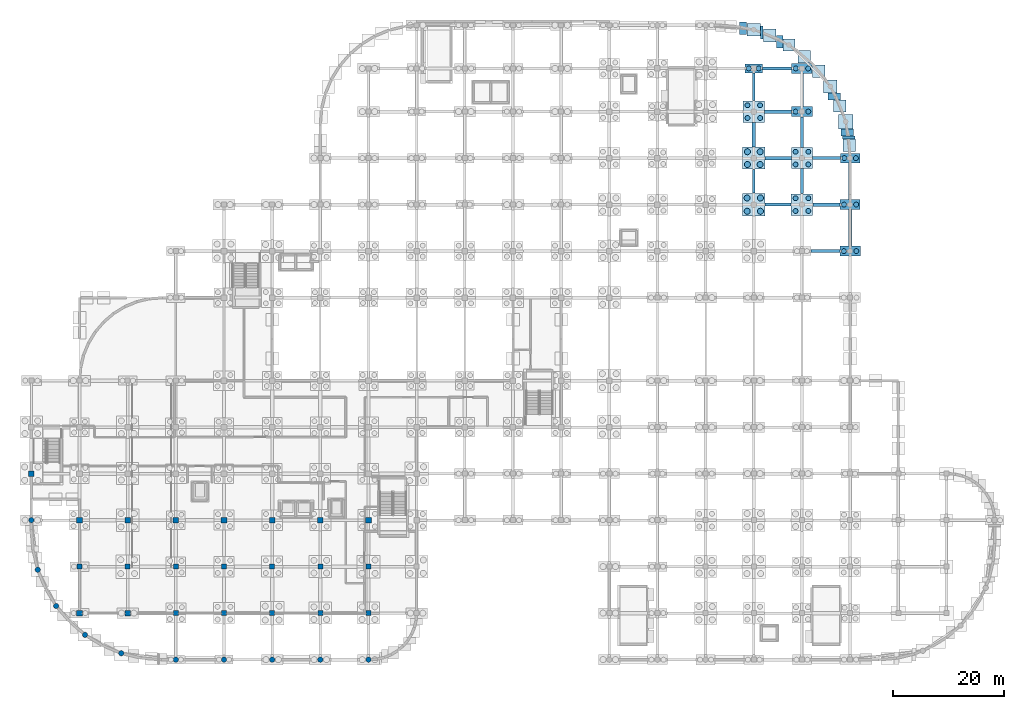
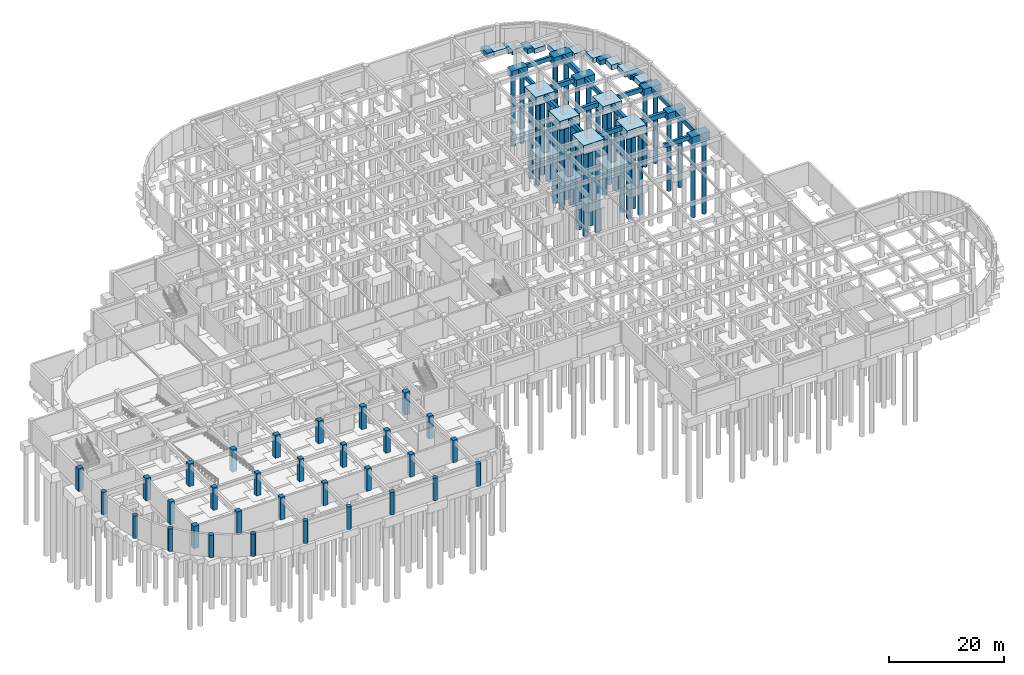
# One storey, part 14 of 33: 41 footings, 32 columns, 32 piles.
"""IFC4 building model written with IfcOpenShell, lengths in metres."""

from ifc_helpers import new_model, si_unit, derived_unit, direction, frame, origin, origin_2d, place, context, subcontext, project, spatial, rectangle, circle, extrude, material, material_profile, profile_set, type_object, element, save


model = new_model("IFC4")

# Units and contexts
model_context = context("Model", 3, precision=1e-05, world=origin(), true_north=direction((0.0, 1.0)))
body_context = subcontext(model_context, "Body", "Model", "MODEL_VIEW")
ifc_project = project(units=[si_unit("LENGTHUNIT", "METRE"), si_unit("AREAUNIT", "SQUARE_METRE"), si_unit("VOLUMEUNIT", "CUBIC_METRE"), si_unit("PLANEANGLEUNIT", "RADIAN"), si_unit("MASSUNIT", "GRAM", prefix="KILO"), derived_unit("THERMALTRANSMITTANCEUNIT", [(si_unit("MASSUNIT", "GRAM", prefix="KILO"), 1), (si_unit("TIMEUNIT", "SECOND"), -3), (si_unit("THERMODYNAMICTEMPERATUREUNIT", "KELVIN"), -1)])], contexts=[model_context])

# Site, building, storey
site_placement = place(None, origin())
site = spatial("IfcSite", under=ifc_project, at=site_placement, CompositionType="ELEMENT")
building_placement = place(site_placement, origin())
building = spatial("IfcBuilding", under=site, at=building_placement, Name="Qinzheling Arcade Emporium", CompositionType="ELEMENT")
storey_placement = place(building_placement, frame((0.0, 0.0, -9.60009765625)))
storey = spatial("IfcBuildingStorey", under=building, at=storey_placement, Name="B2", CompositionType="ELEMENT", Elevation=-9.60009765625)

# Footings
ifc_material_1 = material(Name="Concrete C40", Category="concrete")
footing_type_1 = type_object("IfcFootingType", Name="Arcade Pad Footing 2400x2400x1050 C40", PredefinedType="PAD_FOOTING", material=ifc_material_1)
footing_1_placement = place(storey_placement, frame((144.3291015625, 103.552978515625, -1.0498046875), z_axis=(0.0, 0.0, 1.0), x_axis=(1.0, 0.0, 0.0)))
element("IfcFooting", 1, at=footing_1_placement, inside=storey, type_object=footing_type_1, Name="Curved Arcade Pad Footing FND-PF-CV-CV6-02", PredefinedType="PAD_FOOTING", context=body_context, shape_type="SweptSolid", body=[
    extrude(rectangle(XDim=2.39990234375, YDim=2.39990234375, at=origin_2d()), origin(), (0.0, 0.0, 1.0), 1.050048828125),
])
footing_2_placement = place(storey_placement, frame((133.364990234375, 112.743896484375, -1.0498046875), z_axis=(0.0, 0.0, 1.0), x_axis=(1.0, 0.0, 0.0)))
element("IfcFooting", 2, at=footing_2_placement, inside=storey, type_object=footing_type_1, Name="Retaining Wall Pad Footing FND-PF-RW-039", PredefinedType="PAD_FOOTING", context=body_context, shape_type="SweptSolid", body=[
    extrude(rectangle(XDim=2.301025390625, YDim=2.301025390625, at=origin_2d()), origin(), (0.0, 0.0, 1.0), 1.050048828125),
])
footing_3_placement = place(storey_placement, frame((135.16796875, 111.62890625, -1.0498046875), z_axis=(0.0, 0.0, 1.0), x_axis=(1.0, 0.0, 0.0)))
element("IfcFooting", 3, at=footing_3_placement, inside=storey, type_object=footing_type_1, Name="Retaining Wall Pad Footing FND-PF-RW-041", PredefinedType="PAD_FOOTING", context=body_context, shape_type="SweptSolid", body=[
    extrude(rectangle(XDim=1.157958984375, YDim=2.301025390625, at=origin_2d()), origin(), (0.0, 0.0, 1.0), 1.050048828125),
])
footing_4_placement = place(storey_placement, frame((142.214111328125, 106.31494140625, -1.0498046875), z_axis=(0.0, 0.0, 1.0), x_axis=(1.0, 0.0, 0.0)))
element("IfcFooting", 4, at=footing_4_placement, inside=storey, type_object=footing_type_1, Name="Retaining Wall Pad Footing FND-PF-RW-043", PredefinedType="PAD_FOOTING", context=body_context, shape_type="SweptSolid", body=[
    extrude(rectangle(XDim=2.300048828125, YDim=2.300048828125, at=origin_2d()), origin(), (0.0, 0.0, 1.0), 1.050048828125),
])
footing_5_placement = place(storey_placement, frame((146.0439453125, 100.014892578125, -1.0498046875), z_axis=(0.0, 0.0, 1.0), x_axis=(1.0, 0.0, 0.0)))
element("IfcFooting", 5, at=footing_5_placement, inside=storey, type_object=footing_type_1, Name="Retaining Wall Pad Footing FND-PF-RW-045", PredefinedType="PAD_FOOTING", context=body_context, shape_type="SweptSolid", body=[
    extrude(rectangle(XDim=2.301025390625, YDim=2.199951171875, at=origin_2d()), origin(), (0.0, 0.0, 1.0), 1.050048828125),
])
footing_6_placement = place(storey_placement, frame((147.756103515625, 92.927978515625, -1.0498046875), z_axis=(0.0, 0.0, 1.0), x_axis=(1.0, 0.0, 0.0)))
element("IfcFooting", 6, at=footing_6_placement, inside=storey, type_object=footing_type_1, Name="Retaining Wall Pad Footing FND-PF-RW-047", PredefinedType="PAD_FOOTING", context=body_context, shape_type="SweptSolid", body=[
    extrude(rectangle(XDim=2.300048828125, YDim=2.301025390625, at=origin_2d()), origin(), (0.0, 0.0, 1.0), 1.050048828125),
])
footing_type_2 = type_object("IfcFootingType", Name="Canopy Pad Footing 2600x2600x1100 C40", PredefinedType="PAD_FOOTING", material=ifc_material_1)
footing_7_placement = place(storey_placement, frame((147.09912109375, 97.181884765625, -1.099853515625), z_axis=(0.0, 0.0, 1.0), x_axis=(1.0, 0.0, 0.0)))
element("IfcFooting", 7, at=footing_7_placement, inside=storey, type_object=footing_type_2, Name="Curved Arcade Pad Footing FND-PF-CV-CV6-01", PredefinedType="PAD_FOOTING", context=body_context, shape_type="SweptSolid", body=[
    extrude(rectangle(XDim=2.60009765625, YDim=2.60009765625, at=origin_2d()), origin(), (0.0, 0.0, 1.0), 1.10009765625),
])
footing_type_3 = type_object("IfcFootingType", Name="Foundation Tie Beam 500x900 C40", PredefinedType="FOOTING_BEAM", material=ifc_material_1)
footing_8_placement = place(storey_placement, frame((143.425048828125, 73.800048828125, -0.89990234375), z_axis=(0.0, 0.0, 1.0), x_axis=(1.0, 0.0, 0.0)))
element("IfcFooting", 8, at=footing_8_placement, inside=storey, type_object=footing_type_3, Name="Foundation Tie FND-FB-133", PredefinedType="FOOTING_BEAM", context=body_context, shape_type="SweptSolid", body=[
    extrude(rectangle(XDim=5.2099609375, YDim=0.5, at=origin_2d()), origin(), (0.0, 0.0, 1.0), 0.89990234375),
])
footing_9_placement = place(storey_placement, frame((134.89990234375, 82.199951171875, -0.89990234375), z_axis=(0.0, 0.0, 1.0), x_axis=(1.0, 0.0, 0.0)))
element("IfcFooting", 9, at=footing_9_placement, inside=storey, type_object=footing_type_3, Name="Foundation Tie FND-FB-145", PredefinedType="FOOTING_BEAM", context=body_context, shape_type="SweptSolid", body=[
    extrude(rectangle(XDim=4.659912109375, YDim=0.5, at=origin_2d()), origin(), (0.0, 0.0, 1.0), 0.89990234375),
])
footing_10_placement = place(storey_placement, frame((143.625, 90.60009765625, -0.89990234375), z_axis=(0.0, 0.0, 1.0), x_axis=(1.0, 0.0, 0.0)))
element("IfcFooting", 10, at=footing_10_placement, inside=storey, type_object=footing_type_3, Name="Foundation Tie FND-FB-157", PredefinedType="FOOTING_BEAM", context=body_context, shape_type="SweptSolid", body=[
    extrude(rectangle(XDim=5.010009765625, YDim=0.5, at=origin_2d()), origin(), (0.0, 0.0, 1.0), 0.89990234375),
])
footing_11_placement = place(storey_placement, frame((134.72509765625, 106.800048828125, -0.89990234375), z_axis=(0.0, 0.0, 1.0), x_axis=(1.0, 0.0, 0.0)))
element("IfcFooting", 11, at=footing_11_placement, inside=storey, type_object=footing_type_3, Name="Foundation Tie FND-FB-175", PredefinedType="FOOTING_BEAM", context=body_context, shape_type="SweptSolid", body=[
    extrude(rectangle(XDim=5.2099609375, YDim=0.5, at=origin_2d()), origin(), (0.0, 0.0, 1.0), 0.89990234375),
])
footing_12_placement = place(storey_placement, frame((130.5, 86.425048828125, -0.89990234375), z_axis=(0.0, 0.0, 1.0), x_axis=(1.0, 0.0, 0.0)))
element("IfcFooting", 12, at=footing_12_placement, inside=storey, type_object=footing_type_3, Name="Foundation Tie FND-FB-317", PredefinedType="FOOTING_BEAM", context=body_context, shape_type="SweptSolid", body=[
    extrude(rectangle(XDim=0.5, YDim=4.31005859375, at=origin_2d()), origin(), (0.0, 0.0, 1.0), 0.89990234375),
])
footing_13_placement = place(storey_placement, frame((130.5, 103.47509765625, -0.89990234375), z_axis=(0.0, 0.0, 1.0), x_axis=(1.0, 0.0, 0.0)))
element("IfcFooting", 13, at=footing_13_placement, inside=storey, type_object=footing_type_3, Name="Foundation Tie FND-FB-319", PredefinedType="FOOTING_BEAM", context=body_context, shape_type="SweptSolid", body=[
    extrude(rectangle(XDim=0.5, YDim=5.010009765625, at=origin_2d()), origin(), (0.0, 0.0, 1.0), 0.89990234375),
])
footing_14_placement = place(storey_placement, frame((139.199951171875, 95.287109375, -0.89990234375), z_axis=(0.0, 0.0, 1.0), x_axis=(1.0, 0.0, 0.0)))
element("IfcFooting", 14, at=footing_14_placement, inside=storey, type_object=footing_type_3, Name="Foundation Tie FND-FB-329", PredefinedType="FOOTING_BEAM", context=body_context, shape_type="SweptSolid", body=[
    extrude(rectangle(XDim=0.5, YDim=5.534912109375, at=origin_2d()), origin(), (0.0, 0.0, 1.0), 0.89990234375),
])
footing_15_placement = place(storey_placement, frame((147.89990234375, 86.412109375, -0.89990234375), z_axis=(0.0, 0.0, 1.0), x_axis=(1.0, 0.0, 0.0)))
element("IfcFooting", 15, at=footing_15_placement, inside=storey, type_object=footing_type_3, Name="Foundation Tie FND-FB-339", PredefinedType="FOOTING_BEAM", context=body_context, shape_type="SweptSolid", body=[
    extrude(rectangle(XDim=0.5, YDim=6.5849609375, at=origin_2d()), origin(), (0.0, 0.0, 1.0), 0.89990234375),
])
footing_type_4 = type_object("IfcFootingType", Name="Foundation Tie Beam 600x1000 C40", PredefinedType="FOOTING_BEAM", material=ifc_material_1)
footing_16_placement = place(storey_placement, frame((143.625, 82.199951171875, -1.0), z_axis=(0.0, 0.0, 1.0), x_axis=(1.0, 0.0, 0.0)))
element("IfcFooting", 16, at=footing_16_placement, inside=storey, type_object=footing_type_4, Name="Foundation Tie FND-FB-146", PredefinedType="FOOTING_BEAM", context=body_context, shape_type="SweptSolid", body=[
    extrude(rectangle(XDim=4.909912109375, YDim=0.60009765625, at=origin_2d()), origin(), (0.0, 0.0, 1.0), 1.0),
])
footing_17_placement = place(storey_placement, frame((134.89990234375, 90.60009765625, -1.0), z_axis=(0.0, 0.0, 1.0), x_axis=(1.0, 0.0, 0.0)))
element("IfcFooting", 17, at=footing_17_placement, inside=storey, type_object=footing_type_4, Name="Foundation Tie FND-FB-156", PredefinedType="FOOTING_BEAM", context=body_context, shape_type="SweptSolid", body=[
    extrude(rectangle(XDim=4.760009765625, YDim=0.60009765625, at=origin_2d()), origin(), (0.0, 0.0, 1.0), 1.0),
])
footing_18_placement = place(storey_placement, frame((134.875, 99.0, -1.0), z_axis=(0.0, 0.0, 1.0), x_axis=(1.0, 0.0, 0.0)))
element("IfcFooting", 18, at=footing_18_placement, inside=storey, type_object=footing_type_4, Name="Foundation Tie FND-FB-166", PredefinedType="FOOTING_BEAM", context=body_context, shape_type="SweptSolid", body=[
    extrude(rectangle(XDim=4.81005859375, YDim=0.60009765625, at=origin_2d()), origin(), (0.0, 0.0, 1.0), 1.0),
])
footing_19_placement = place(storey_placement, frame((130.5, 94.824951171875, -1.0), z_axis=(0.0, 0.0, 1.0), x_axis=(1.0, 0.0, 0.0)))
element("IfcFooting", 19, at=footing_19_placement, inside=storey, type_object=footing_type_4, Name="Foundation Tie FND-FB-318", PredefinedType="FOOTING_BEAM", context=body_context, shape_type="SweptSolid", body=[
    extrude(rectangle(XDim=0.60009765625, YDim=4.409912109375, at=origin_2d()), origin(), (0.0, 0.0, 1.0), 1.0),
])
footing_20_placement = place(storey_placement, frame((139.199951171875, 86.425048828125, -1.0), z_axis=(0.0, 0.0, 1.0), x_axis=(1.0, 0.0, 0.0)))
element("IfcFooting", 20, at=footing_20_placement, inside=storey, type_object=footing_type_4, Name="Foundation Tie FND-FB-328", PredefinedType="FOOTING_BEAM", context=body_context, shape_type="SweptSolid", body=[
    extrude(rectangle(XDim=0.60009765625, YDim=4.510009765625, at=origin_2d()), origin(), (0.0, 0.0, 1.0), 1.0),
])
footing_21_placement = place(storey_placement, frame((139.199951171875, 102.912109375, -1.0), z_axis=(0.0, 0.0, 1.0), x_axis=(1.0, 0.0, 0.0)))
element("IfcFooting", 21, at=footing_21_placement, inside=storey, type_object=footing_type_4, Name="Foundation Tie FND-FB-330", PredefinedType="FOOTING_BEAM", context=body_context, shape_type="SweptSolid", body=[
    extrude(rectangle(XDim=0.60009765625, YDim=5.93505859375, at=origin_2d()), origin(), (0.0, 0.0, 1.0), 1.0),
])
footing_22_placement = place(storey_placement, frame((147.89990234375, 78.0, -1.0), z_axis=(0.0, 0.0, 1.0), x_axis=(1.0, 0.0, 0.0)))
element("IfcFooting", 22, at=footing_22_placement, inside=storey, type_object=footing_type_4, Name="Foundation Tie FND-FB-338", PredefinedType="FOOTING_BEAM", context=body_context, shape_type="SweptSolid", body=[
    extrude(rectangle(XDim=0.60009765625, YDim=6.56005859375, at=origin_2d()), origin(), (0.0, 0.0, 1.0), 1.0),
])
footing_type_5 = type_object("IfcFootingType", Name="Four-Pile Atrium Cap 4000x4000x1900 C40", PredefinedType="PILE_CAP", material=ifc_material_1)
footing_23_placement = place(storey_placement, frame((130.5, 90.60009765625, -1.89990234375), z_axis=(0.0, 0.0, 1.0), x_axis=(1.0, 0.0, 0.0)))
element("IfcFooting", 23, at=footing_23_placement, inside=storey, type_object=footing_type_5, Name="Pile Cap FND-PC-168", PredefinedType="PILE_CAP", context=body_context, shape_type="SweptSolid", body=[
    extrude(rectangle(XDim=4.0, YDim=4.0, at=origin_2d()), origin(), (0.0, 0.0, 1.0), 1.89990234375),
])
footing_type_6 = type_object("IfcFootingType", Name="Four-Pile Core Cap 4100x4100x1950 C40", PredefinedType="PILE_CAP", material=ifc_material_1)
footing_24_placement = place(storey_placement, frame((130.5, 82.199951171875, -1.94970703125), z_axis=(0.0, 0.0, 1.0), x_axis=(1.0, 0.0, 0.0)))
element("IfcFooting", 24, at=footing_24_placement, inside=storey, type_object=footing_type_6, Name="Pile Cap FND-PC-167", PredefinedType="PILE_CAP", context=body_context, shape_type="SweptSolid", body=[
    extrude(rectangle(XDim=4.10009765625, YDim=4.10009765625, at=origin_2d()), origin(), (0.0, 0.0, 1.0), 1.949951171875),
])
footing_type_7 = type_object("IfcFootingType", Name="Four-Pile Flagship Cap 3800x3800x1800 C40", PredefinedType="PILE_CAP", material=ifc_material_1)
footing_25_placement = place(storey_placement, frame((139.199951171875, 90.60009765625, -1.7998046875), z_axis=(0.0, 0.0, 1.0), x_axis=(1.0, 0.0, 0.0)))
element("IfcFooting", 25, at=footing_25_placement, inside=storey, type_object=footing_type_7, Name="Pile Cap FND-PC-181", PredefinedType="PILE_CAP", context=body_context, shape_type="SweptSolid", body=[
    extrude(rectangle(XDim=3.800048828125, YDim=3.800048828125, at=origin_2d()), origin(), (0.0, 0.0, 1.0), 1.800048828125),
])
footing_type_8 = type_object("IfcFootingType", Name="Four-Pile Tower Cap 3900x3900x1850 C40", PredefinedType="PILE_CAP", material=ifc_material_1)
for number, where, z_axis, x_axis, name in (
    (26, (130.5, 99.0, -1.849853515625), (0.0, 0.0, 1.0), (1.0, 0.0, 0.0), "Pile Cap FND-PC-169"),
    (27, (139.199951171875, 82.199951171875, -1.849853515625), (0.0, 0.0, 1.0), (1.0, 0.0, 0.0), "Pile Cap FND-PC-180"),
):
    element("IfcFooting", number, at=place(storey_placement, frame(where, z_axis=z_axis, x_axis=x_axis)), inside=storey, type_object=footing_type_8, Name=name, PredefinedType="PILE_CAP", context=body_context, shape_type="SweptSolid", body=[
        extrude(rectangle(XDim=3.89990234375, YDim=3.89990234375, at=origin_2d()), origin(), (0.0, 0.0, 1.0), 1.85009765625),
    ])
footing_type_9 = type_object("IfcFootingType", Name="Loggia Pad Footing 2200x2200x1000 C40", PredefinedType="PAD_FOOTING", material=ifc_material_1)
footing_26_placement = place(storey_placement, frame((136.85302734375, 111.029052734375, -1.0), z_axis=(0.0, 0.0, 1.0), x_axis=(1.0, 0.0, 0.0)))
element("IfcFooting", 28, at=footing_26_placement, inside=storey, type_object=footing_type_9, Name="Curved Arcade Pad Footing FND-PF-CV-CV6-03", PredefinedType="PAD_FOOTING", context=body_context, shape_type="SweptSolid", body=[
    extrude(rectangle(XDim=2.199951171875, YDim=2.199951171875, at=origin_2d()), origin(), (0.0, 0.0, 1.0), 1.0),
])
footing_27_placement = place(storey_placement, frame((128.55810546875, 114.0791015625, -1.0), z_axis=(0.0, 0.0, 1.0), x_axis=(1.0, 0.0, 0.0)))
element("IfcFooting", 29, at=footing_27_placement, inside=storey, type_object=footing_type_9, Name="Retaining Wall Pad Footing FND-PF-RW-038", PredefinedType="PAD_FOOTING", context=body_context, shape_type="SweptSolid", body=[
    extrude(rectangle(XDim=1.3369140625, YDim=2.301025390625, at=origin_2d()), origin(), (0.0, 0.0, 1.0), 1.0),
])
footing_28_placement = place(storey_placement, frame((131.97412109375, 113.27392578125, -1.0), z_axis=(0.0, 0.0, 1.0), x_axis=(1.0, 0.0, 0.0)))
element("IfcFooting", 30, at=footing_28_placement, inside=storey, type_object=footing_type_9, Name="Retaining Wall Pad Footing FND-PF-RW-040", PredefinedType="PAD_FOOTING", context=body_context, shape_type="SweptSolid", body=[
    extrude(rectangle(XDim=0.470947265625, YDim=2.300048828125, at=origin_2d()), origin(), (0.0, 0.0, 1.0), 1.0),
])
footing_29_placement = place(storey_placement, frame((139.614990234375, 108.9150390625, -1.0), z_axis=(0.0, 0.0, 1.0), x_axis=(1.0, 0.0, 0.0)))
element("IfcFooting", 31, at=footing_29_placement, inside=storey, type_object=footing_type_9, Name="Retaining Wall Pad Footing FND-PF-RW-042", PredefinedType="PAD_FOOTING", context=body_context, shape_type="SweptSolid", body=[
    extrude(rectangle(XDim=2.300048828125, YDim=2.301025390625, at=origin_2d()), origin(), (0.0, 0.0, 1.0), 1.0),
])
footing_30_placement = place(storey_placement, frame((145.031005859375, 101.73388671875, -1.0), z_axis=(0.0, 0.0, 1.0), x_axis=(1.0, 0.0, 0.0)))
element("IfcFooting", 32, at=footing_30_placement, inside=storey, type_object=footing_type_9, Name="Retaining Wall Pad Footing FND-PF-RW-044", PredefinedType="PAD_FOOTING", context=body_context, shape_type="SweptSolid", body=[
    extrude(rectangle(XDim=2.300048828125, YDim=1.22607421875, at=origin_2d()), origin(), (0.0, 0.0, 1.0), 1.0),
])
footing_31_placement = place(storey_placement, frame((147.3798828125, 95.23291015625, -1.0), z_axis=(0.0, 0.0, 1.0), x_axis=(1.0, 0.0, 0.0)))
element("IfcFooting", 33, at=footing_31_placement, inside=storey, type_object=footing_type_9, Name="Retaining Wall Pad Footing FND-PF-RW-046", PredefinedType="PAD_FOOTING", context=body_context, shape_type="SweptSolid", body=[
    extrude(rectangle(XDim=2.300048828125, YDim=1.287109375, at=origin_2d()), origin(), (0.0, 0.0, 1.0), 1.0),
])
footing_32_placement = place(storey_placement, frame((147.64697265625, 94.333984375, -1.0), z_axis=(0.0, 0.0, 1.0), x_axis=(1.0, 0.0, 0.0)))
element("IfcFooting", 34, at=footing_32_placement, inside=storey, type_object=footing_type_9, Name="Retaining Wall Pad Footing FND-PF-RW-048", PredefinedType="PAD_FOOTING", context=body_context, shape_type="SweptSolid", body=[
    extrude(rectangle(XDim=2.300048828125, YDim=0.4990234375, at=origin_2d()), origin(), (0.0, 0.0, 1.0), 1.0),
])
footing_type_10 = type_object("IfcFootingType", Name="Pavilion Pad Footing 2500x2200x1050 C40", PredefinedType="PAD_FOOTING", material=ifc_material_1)
footing_33_placement = place(storey_placement, frame((130.48193359375, 113.799072265625, -1.0498046875), z_axis=(0.0, 0.0, 1.0), x_axis=(1.0, 0.0, 0.0)))
element("IfcFooting", 35, at=footing_33_placement, inside=storey, type_object=footing_type_10, Name="Curved Arcade Pad Footing FND-PF-CV-CV6-04", PredefinedType="PAD_FOOTING", context=body_context, shape_type="SweptSolid", body=[
    extrude(rectangle(XDim=2.5, YDim=2.199951171875, at=origin_2d()), origin(), (0.0, 0.0, 1.0), 1.050048828125),
])

# Piles
ifc_material_profile_1 = material_profile(ifc_material_1, circle(Radius=0.550048828125, at=origin_2d()), Name="BORED D1100", Category="concrete")
ifc_profile_set_1 = profile_set([ifc_material_profile_1], Name="Concrete C40")
pile_type_1 = type_object("IfcPileType", Name="Rotary Bored Pile D1100 C40", PredefinedType="BORED", material=ifc_profile_set_1)
for number, where, z_axis, x_axis, name in (
    (36, (129.300048828125, 81.0, -1.849853515625), (0.0, 0.0, -1.0), (1.0, 0.0, 0.0), "Bored Pile FND-PL-0513"),
    (37, (131.699951171875, 81.0, -1.849853515625), (0.0, 0.0, -1.0), (1.0, 0.0, 0.0), "Bored Pile FND-PL-0514"),
    (38, (129.300048828125, 83.39990234375, -1.849853515625), (0.0, 0.0, -1.0), (1.0, 0.0, 0.0), "Bored Pile FND-PL-0515"),
    (39, (131.699951171875, 83.39990234375, -1.849853515625), (0.0, 0.0, -1.0), (1.0, 0.0, 0.0), "Bored Pile FND-PL-0516"),
):
    element("IfcPile", number, at=place(storey_placement, frame(where, z_axis=z_axis, x_axis=x_axis)), inside=storey, type_object=pile_type_1, Name=name, PredefinedType="BORED", context=body_context, shape_type="SweptSolid", body=[
        extrude(circle(Radius=0.550048828125, at=origin_2d()), origin(), (0.0, 0.0, 1.0), 18.0),
    ])
for number, where, z_axis, x_axis, name in (
    (40, (129.35009765625, 89.449951171875, -1.7998046875), (0.0, 0.0, -1.0), (1.0, 0.0, 0.0), "Bored Pile FND-PL-0517"),
    (41, (131.64990234375, 89.449951171875, -1.7998046875), (0.0, 0.0, -1.0), (1.0, 0.0, 0.0), "Bored Pile FND-PL-0518"),
    (42, (129.35009765625, 91.75, -1.7998046875), (0.0, 0.0, -1.0), (1.0, 0.0, 0.0), "Bored Pile FND-PL-0519"),
    (43, (131.64990234375, 91.75, -1.7998046875), (0.0, 0.0, -1.0), (1.0, 0.0, 0.0), "Bored Pile FND-PL-0520"),
):
    element("IfcPile", number, at=place(storey_placement, frame(where, z_axis=z_axis, x_axis=x_axis)), inside=storey, type_object=pile_type_1, Name=name, PredefinedType="BORED", context=body_context, shape_type="SweptSolid", body=[
        extrude(circle(Radius=0.550048828125, at=origin_2d()), origin(), (0.0, 0.0, 1.0), 17.5),
    ])
ifc_material_profile_2 = material_profile(ifc_material_1, circle(Radius=0.449951171875, at=origin_2d()), Name="BORED D900", Category="concrete")
ifc_profile_set_2 = profile_set([ifc_material_profile_2], Name="Concrete C40")
pile_type_2 = type_object("IfcPileType", Name="Rotary Bored Pile D900 C40", PredefinedType="BORED", material=ifc_profile_set_2)
for number, where, z_axis, x_axis, name in (
    (44, (129.35009765625, 97.85009765625, -1.75), (0.0, 0.0, -1.0), (1.0, 0.0, 0.0), "Bored Pile FND-PL-0521"),
    (45, (131.64990234375, 97.85009765625, -1.75), (0.0, 0.0, -1.0), (1.0, 0.0, 0.0), "Bored Pile FND-PL-0522"),
    (46, (129.35009765625, 100.14990234375, -1.75), (0.0, 0.0, -1.0), (1.0, 0.0, 0.0), "Bored Pile FND-PL-0523"),
    (47, (131.64990234375, 100.14990234375, -1.75), (0.0, 0.0, -1.0), (1.0, 0.0, 0.0), "Bored Pile FND-PL-0524"),
):
    element("IfcPile", number, at=place(storey_placement, frame(where, z_axis=z_axis, x_axis=x_axis)), inside=storey, type_object=pile_type_2, Name=name, PredefinedType="BORED", context=body_context, shape_type="SweptSolid", body=[
        extrude(circle(Radius=0.449951171875, at=origin_2d()), origin(), (0.0, 0.0, 1.0), 17.5),
    ])
for number, where, z_axis, x_axis, name in (
    (48, (129.60009765625, 106.800048828125, -1.449951171875), (0.0, 0.0, -1.0), (1.0, 0.0, 0.0), "Bored Pile FND-PL-0525"),
    (49, (131.39990234375, 106.800048828125, -1.449951171875), (0.0, 0.0, -1.0), (1.0, 0.0, 0.0), "Bored Pile FND-PL-0526"),
):
    element("IfcPile", number, at=place(storey_placement, frame(where, z_axis=z_axis, x_axis=x_axis)), inside=storey, type_object=pile_type_2, Name=name, PredefinedType="BORED", context=body_context, shape_type="SweptSolid", body=[
        extrude(circle(Radius=0.449951171875, at=origin_2d()), origin(), (0.0, 0.0, 1.0), 15.0),
    ])
for number, where, z_axis, x_axis, name in (
    (50, (138.050048828125, 81.050048828125, -1.75), (0.0, 0.0, -1.0), (1.0, 0.0, 0.0), "Bored Pile FND-PL-0551"),
    (51, (140.35009765625, 81.050048828125, -1.75), (0.0, 0.0, -1.0), (1.0, 0.0, 0.0), "Bored Pile FND-PL-0552"),
    (52, (138.050048828125, 83.35009765625, -1.75), (0.0, 0.0, -1.0), (1.0, 0.0, 0.0), "Bored Pile FND-PL-0553"),
    (53, (140.35009765625, 83.35009765625, -1.75), (0.0, 0.0, -1.0), (1.0, 0.0, 0.0), "Bored Pile FND-PL-0554"),
    (54, (138.050048828125, 89.449951171875, -1.699951171875), (0.0, 0.0, -1.0), (1.0, 0.0, 0.0), "Bored Pile FND-PL-0555"),
    (55, (140.35009765625, 89.449951171875, -1.699951171875), (0.0, 0.0, -1.0), (1.0, 0.0, 0.0), "Bored Pile FND-PL-0556"),
    (56, (138.050048828125, 91.75, -1.699951171875), (0.0, 0.0, -1.0), (1.0, 0.0, 0.0), "Bored Pile FND-PL-0557"),
    (57, (140.35009765625, 91.75, -1.699951171875), (0.0, 0.0, -1.0), (1.0, 0.0, 0.0), "Bored Pile FND-PL-0558"),
):
    element("IfcPile", number, at=place(storey_placement, frame(where, z_axis=z_axis, x_axis=x_axis)), inside=storey, type_object=pile_type_2, Name=name, PredefinedType="BORED", context=body_context, shape_type="SweptSolid", body=[
        extrude(circle(Radius=0.449951171875, at=origin_2d()), origin(), (0.0, 0.0, 1.0), 17.5),
    ])
for number, where, z_axis, x_axis, name in (
    (58, (138.050048828125, 99.0, -1.699951171875), (0.0, 0.0, -1.0), (1.0, 0.0, 0.0), "Bored Pile FND-PL-0559"),
    (59, (140.35009765625, 99.0, -1.699951171875), (0.0, 0.0, -1.0), (1.0, 0.0, 0.0), "Bored Pile FND-PL-0560"),
    (60, (138.080078125, 106.800048828125, -1.64990234375), (0.0, 0.0, -1.0), (1.0, 0.0, 0.0), "Bored Pile FND-PL-0561"),
    (61, (140.320068359375, 106.800048828125, -1.64990234375), (0.0, 0.0, -1.0), (1.0, 0.0, 0.0), "Bored Pile FND-PL-0562"),
    (62, (146.780029296875, 73.800048828125, -1.64990234375), (0.0, 0.0, -1.0), (1.0, 0.0, 0.0), "Bored Pile FND-PL-0585"),
    (63, (149.02001953125, 73.800048828125, -1.64990234375), (0.0, 0.0, -1.0), (1.0, 0.0, 0.0), "Bored Pile FND-PL-0586"),
):
    element("IfcPile", number, at=place(storey_placement, frame(where, z_axis=z_axis, x_axis=x_axis)), inside=storey, type_object=pile_type_2, Name=name, PredefinedType="BORED", context=body_context, shape_type="SweptSolid", body=[
        extrude(circle(Radius=0.449951171875, at=origin_2d()), origin(), (0.0, 0.0, 1.0), 16.0),
    ])
for number, where, z_axis, x_axis, name in (
    (64, (146.800048828125, 82.199951171875, -1.599853515625), (0.0, 0.0, -1.0), (1.0, 0.0, 0.0), "Bored Pile FND-PL-0587"),
    (65, (149.0, 82.199951171875, -1.599853515625), (0.0, 0.0, -1.0), (1.0, 0.0, 0.0), "Bored Pile FND-PL-0588"),
    (66, (146.85009765625, 90.60009765625, -1.5498046875), (0.0, 0.0, -1.0), (1.0, 0.0, 0.0), "Bored Pile FND-PL-0589"),
    (67, (148.949951171875, 90.60009765625, -1.5498046875), (0.0, 0.0, -1.0), (1.0, 0.0, 0.0), "Bored Pile FND-PL-0590"),
):
    element("IfcPile", number, at=place(storey_placement, frame(where, z_axis=z_axis, x_axis=x_axis)), inside=storey, type_object=pile_type_2, Name=name, PredefinedType="BORED", context=body_context, shape_type="SweptSolid", body=[
        extrude(circle(Radius=0.449951171875, at=origin_2d()), origin(), (0.0, 0.0, 1.0), 15.5),
    ])

# Footings
footing_type_11 = type_object("IfcFootingType", Name="Two-Pile Dock Cap 3800x1850x1800 C40", PredefinedType="PILE_CAP", material=ifc_material_1)
footing_34_placement = place(storey_placement, frame((139.199951171875, 99.0, -1.7998046875), z_axis=(0.0, 0.0, 1.0), x_axis=(1.0, 0.0, 0.0)))
element("IfcFooting", 68, at=footing_34_placement, inside=storey, type_object=footing_type_11, Name="Pile Cap FND-PC-182", PredefinedType="PILE_CAP", context=body_context, shape_type="SweptSolid", body=[
    extrude(rectangle(XDim=3.800048828125, YDim=1.85009765625, at=origin_2d()), origin(), (0.0, 0.0, 1.0), 1.800048828125),
])
footing_type_12 = type_object("IfcFootingType", Name="Two-Pile Pier Cap 3200x1600x1550 C40", PredefinedType="PILE_CAP", material=ifc_material_1)
footing_35_placement = place(storey_placement, frame((130.5, 106.800048828125, -1.5498046875), z_axis=(0.0, 0.0, 1.0), x_axis=(1.0, 0.0, 0.0)))
element("IfcFooting", 69, at=footing_35_placement, inside=storey, type_object=footing_type_12, Name="Pile Cap FND-PC-170", PredefinedType="PILE_CAP", context=body_context, shape_type="SweptSolid", body=[
    extrude(rectangle(XDim=3.199951171875, YDim=1.60009765625, at=origin_2d()), origin(), (0.0, 0.0, 1.0), 1.550048828125),
])
footing_type_13 = type_object("IfcFootingType", Name="Two-Pile Rectangular Cap 3600x1800x1700 C40", PredefinedType="PILE_CAP", material=ifc_material_1)
footing_36_placement = place(storey_placement, frame((147.89990234375, 82.199951171875, -1.69970703125), z_axis=(0.0, 0.0, 1.0), x_axis=(1.0, 0.0, 0.0)))
element("IfcFooting", 70, at=footing_36_placement, inside=storey, type_object=footing_type_13, Name="Pile Cap FND-PC-193", PredefinedType="PILE_CAP", context=body_context, shape_type="SweptSolid", body=[
    extrude(rectangle(XDim=3.60009765625, YDim=1.800048828125, at=origin_2d()), origin(), (0.0, 0.0, 1.0), 1.699951171875),
])
footing_type_14 = type_object("IfcFootingType", Name="Two-Pile Spandrel Cap 3500x1750x1650 C40", PredefinedType="PILE_CAP", material=ifc_material_1)
footing_37_placement = place(storey_placement, frame((147.89990234375, 90.60009765625, -1.64990234375), z_axis=(0.0, 0.0, 1.0), x_axis=(1.0, 0.0, 0.0)))
element("IfcFooting", 71, at=footing_37_placement, inside=storey, type_object=footing_type_14, Name="Pile Cap FND-PC-194", PredefinedType="PILE_CAP", context=body_context, shape_type="SweptSolid", body=[
    extrude(rectangle(XDim=3.5, YDim=1.75, at=origin_2d()), origin(), (0.0, 0.0, 1.0), 1.64990234375),
])
footing_type_15 = type_object("IfcFootingType", Name="Two-Pile Stockroom Cap 3700x1800x1750 C40", PredefinedType="PILE_CAP", material=ifc_material_1)
for number, where, z_axis, x_axis, name in (
    (72, (139.199951171875, 106.800048828125, -1.75), (0.0, 0.0, 1.0), (1.0, 0.0, 0.0), "Pile Cap FND-PC-183"),
    (73, (147.89990234375, 73.800048828125, -1.75), (0.0, 0.0, 1.0), (1.0, 0.0, 0.0), "Pile Cap FND-PC-192"),
):
    element("IfcFooting", number, at=place(storey_placement, frame(where, z_axis=z_axis, x_axis=x_axis)), inside=storey, type_object=footing_type_15, Name=name, PredefinedType="PILE_CAP", context=body_context, shape_type="SweptSolid", body=[
        extrude(rectangle(XDim=3.699951171875, YDim=1.800048828125, at=origin_2d()), origin(), (0.0, 0.0, 1.0), 1.75),
    ])

# Columns
ifc_material_2 = material(Name="Concrete C50", Category="concrete")
ifc_material_profile_3 = material_profile(ifc_material_2, circle(Radius=0.47509765625, at=origin_2d()), Name="RC D950", Category="concrete")
ifc_profile_set_3 = profile_set([ifc_material_profile_3], Name="Concrete C50")
column_type_1 = type_object("IfcColumnType", Name="Arcade Pier Column D950 C50", PredefinedType="PILASTER", material=ifc_profile_set_3)
for number, where, z_axis, x_axis, name in (
    (74, (0.0, 25.199951171875, 0.0), (0.0, 0.0, 1.0), (1.0, 0.0, 0.0), "Column COL-B2-1-D"),
    (75, (26.10009765625, 0.0, 0.0), (0.0, 0.0, 1.0), (1.0, 0.0, 0.0), "Column COL-B2-4-A"),
    (76, (34.800048828125, 0.0, 0.0), (0.0, 0.0, 1.0), (1.0, 0.0, 0.0), "Column COL-B2-5-A"),
    (77, (43.5, 0.0, 0.0), (0.0, 0.0, 1.0), (1.0, 0.0, 0.0), "Column COL-B2-6-A"),
    (78, (52.199951171875, 0.0, 0.0), (0.0, 0.0, 1.0), (1.0, 0.0, 0.0), "Column COL-B2-7-A"),
    (79, (60.89990234375, 0.0, 0.0), (0.0, 0.0, 1.0), (1.0, 0.0, 0.0), "Column COL-B2-8-A"),
    (80, (1.14990234375, 16.238037109375, 0.0), (0.0, 0.0, 1.0), (1.0, 0.0, 0.0), "Curved Arcade Pier COL-B2-CV1-P01"),
    (81, (4.488037109375, 9.68701171875, 0.0), (0.0, 0.0, 1.0), (1.0, 0.0, 0.0), "Curved Arcade Pier COL-B2-CV1-P02"),
    (82, (9.68701171875, 4.488037109375, 0.0), (0.0, 0.0, 1.0), (1.0, 0.0, 0.0), "Curved Arcade Pier COL-B2-CV1-P03"),
    (83, (16.238037109375, 1.14990234375, 0.0), (0.0, 0.0, 1.0), (1.0, 0.0, 0.0), "Curved Arcade Pier COL-B2-CV1-P04"),
):
    element("IfcColumn", number, at=place(storey_placement, frame(where, z_axis=z_axis, x_axis=x_axis)), inside=storey, type_object=column_type_1, Name=name, PredefinedType="PILASTER", context=body_context, shape_type="SweptSolid", body=[
        extrude(circle(Radius=0.47509765625, at=origin_2d()), origin(), (0.0, 0.0, 1.0), 4.800048828125),
    ])
ifc_material_profile_4 = material_profile(ifc_material_2, rectangle(XDim=1.0, YDim=1.0, at=origin_2d()), Name="RC 1000x1000", Category="concrete")
ifc_profile_set_4 = profile_set([ifc_material_profile_4], Name="Concrete C50")
column_type_2 = type_object("IfcColumnType", Name="RC Column 1000x1000 C50", PredefinedType="COLUMN", material=ifc_profile_set_4)
for number, where, z_axis, x_axis, name in (
    (84, (0.0, 33.60009765625, 0.0), (0.0, 0.0, 1.0), (1.0, 0.0, 0.0), "Column COL-B2-1-E"),
    (85, (8.699951171875, 8.39990234375, 0.0), (0.0, 0.0, 1.0), (1.0, 0.0, 0.0), "Column COL-B2-2-B"),
    (86, (8.699951171875, 25.199951171875, 0.0), (0.0, 0.0, 1.0), (1.0, 0.0, 0.0), "Column COL-B2-2-D"),
    (87, (17.39990234375, 8.39990234375, 0.0), (0.0, 0.0, 1.0), (1.0, 0.0, 0.0), "Column COL-B2-3-B"),
    (88, (17.39990234375, 25.199951171875, 0.0), (0.0, 0.0, 1.0), (1.0, 0.0, 0.0), "Column COL-B2-3-D"),
    (89, (26.10009765625, 25.199951171875, 0.0), (0.0, 0.0, 1.0), (1.0, 0.0, 0.0), "Column COL-B2-4-D"),
    (90, (34.800048828125, 25.199951171875, 0.0), (0.0, 0.0, 1.0), (1.0, 0.0, 0.0), "Column COL-B2-5-D"),
    (91, (43.5, 25.199951171875, 0.0), (0.0, 0.0, 1.0), (1.0, 0.0, 0.0), "Column COL-B2-6-D"),
    (92, (52.199951171875, 25.199951171875, 0.0), (0.0, 0.0, 1.0), (1.0, 0.0, 0.0), "Column COL-B2-7-D"),
    (93, (60.89990234375, 25.199951171875, 0.0), (0.0, 0.0, 1.0), (1.0, 0.0, 0.0), "Column COL-B2-8-D"),
):
    element("IfcColumn", number, at=place(storey_placement, frame(where, z_axis=z_axis, x_axis=x_axis)), inside=storey, type_object=column_type_2, Name=name, PredefinedType="COLUMN", context=body_context, shape_type="SweptSolid", body=[
        extrude(rectangle(XDim=1.0, YDim=1.0, at=origin_2d()), origin(), (0.0, 0.0, 1.0), 4.800048828125),
    ])
ifc_material_profile_5 = material_profile(ifc_material_2, rectangle(XDim=0.89990234375, YDim=0.89990234375, at=origin_2d()), Name="RC 900x900", Category="concrete")
ifc_profile_set_5 = profile_set([ifc_material_profile_5], Name="Concrete C50")
column_type_3 = type_object("IfcColumnType", Name="RC Column 900x900 C50", PredefinedType="COLUMN", material=ifc_profile_set_5)
for number, where, z_axis, x_axis, name in (
    (94, (8.699951171875, 16.800048828125, 0.0), (0.0, 0.0, 1.0), (1.0, 0.0, 0.0), "Column COL-B2-2-C"),
    (95, (17.39990234375, 16.800048828125, 0.0), (0.0, 0.0, 1.0), (1.0, 0.0, 0.0), "Column COL-B2-3-C"),
    (96, (26.10009765625, 8.39990234375, 0.0), (0.0, 0.0, 1.0), (1.0, 0.0, 0.0), "Column COL-B2-4-B"),
    (97, (26.10009765625, 16.800048828125, 0.0), (0.0, 0.0, 1.0), (1.0, 0.0, 0.0), "Column COL-B2-4-C"),
    (98, (34.800048828125, 8.39990234375, 0.0), (0.0, 0.0, 1.0), (1.0, 0.0, 0.0), "Column COL-B2-5-B"),
    (99, (34.800048828125, 16.800048828125, 0.0), (0.0, 0.0, 1.0), (1.0, 0.0, 0.0), "Column COL-B2-5-C"),
    (100, (43.5, 8.39990234375, 0.0), (0.0, 0.0, 1.0), (1.0, 0.0, 0.0), "Column COL-B2-6-B"),
    (101, (43.5, 16.800048828125, 0.0), (0.0, 0.0, 1.0), (1.0, 0.0, 0.0), "Column COL-B2-6-C"),
    (102, (52.199951171875, 8.39990234375, 0.0), (0.0, 0.0, 1.0), (1.0, 0.0, 0.0), "Column COL-B2-7-B"),
    (103, (52.199951171875, 16.800048828125, 0.0), (0.0, 0.0, 1.0), (1.0, 0.0, 0.0), "Column COL-B2-7-C"),
    (104, (60.89990234375, 8.39990234375, 0.0), (0.0, 0.0, 1.0), (1.0, 0.0, 0.0), "Column COL-B2-8-B"),
    (105, (60.89990234375, 16.800048828125, 0.0), (0.0, 0.0, 1.0), (1.0, 0.0, 0.0), "Column COL-B2-8-C"),
):
    element("IfcColumn", number, at=place(storey_placement, frame(where, z_axis=z_axis, x_axis=x_axis)), inside=storey, type_object=column_type_3, Name=name, PredefinedType="COLUMN", context=body_context, shape_type="SweptSolid", body=[
        extrude(rectangle(XDim=0.89990234375, YDim=0.89990234375, at=origin_2d()), origin(), (0.0, 0.0, 1.0), 4.800048828125),
    ])

save(model, "model.ifc")
